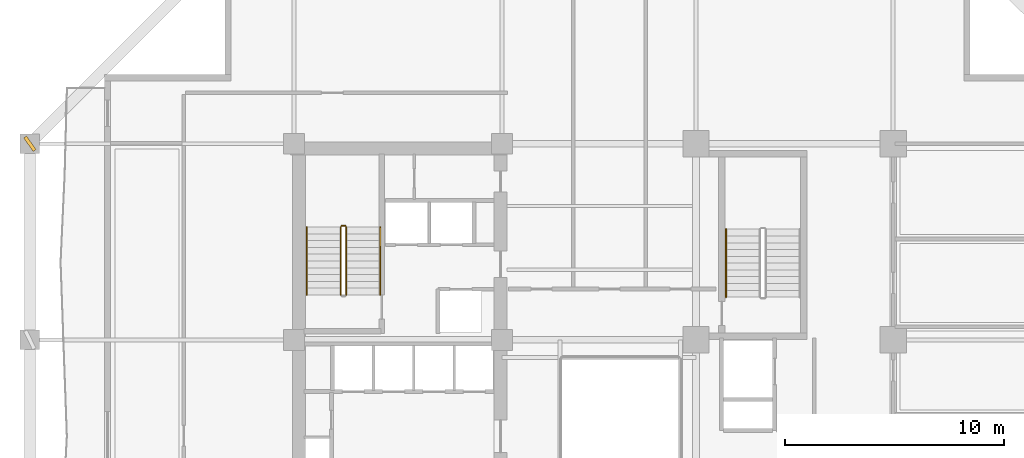
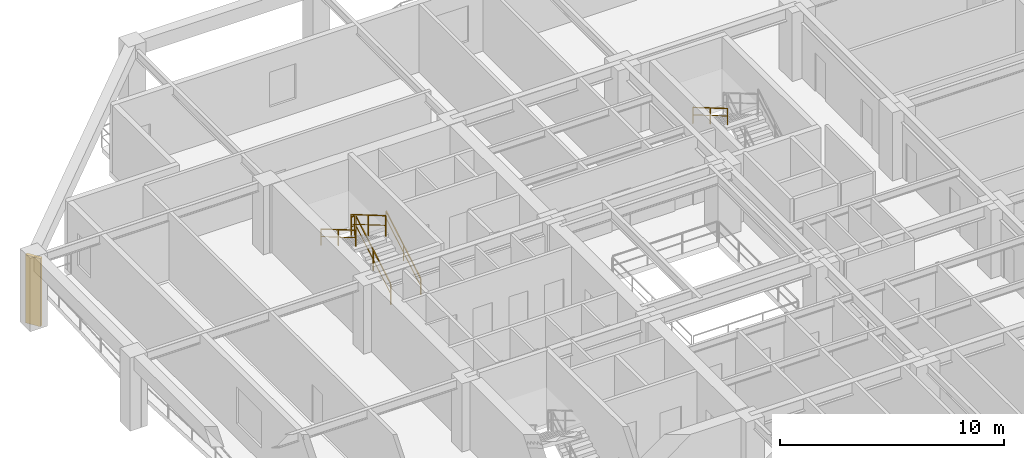
# One storey, part 11 of 13: 6 railings, 1 shading device.
"""IFC4 building model written with IfcOpenShell, lengths in metres."""

import ifcopenshell
import ifcopenshell.guid

model = None  # the IFC model being written
_history = None  # IfcOwnerHistory: only IFC2X3 demands one
_inside = {}  # id of a spatial element -> (the spatial element, [elements in it])
_under = {}  # id of a project, library or spatial element -> (it, [spatial elements below it])
_declared = {}  # id of a project -> (the project, [libraries it declares])
_typed = {}  # id of a type object -> (the type object, [elements of that type])
_made_of = {}  # id of a material, layer set ... -> (it, [elements and type objects made of it])


def new_model(schema):
    """Start an empty IFC model of exactly this schema.

    Asked for "IFC4X3", IfcOpenShell would pick the latest addendum, in which some entities
    have other attributes; the version numbers below select the first issue.
    IFC2X3 requires an IfcOwnerHistory on every rooted entity: one is made here for all.
    """
    global model, _history
    if schema == "IFC4X3":
        model = ifcopenshell.file(schema_version=(4, 3, 0, 0))
    else:
        model = ifcopenshell.file(schema=schema)
    _inside.clear()
    _under.clear()
    _declared.clear()
    _typed.clear()
    _made_of.clear()
    _history = None
    if model.schema == "IFC2X3":
        org = make("IfcOrganization", Name="unknown")
        user = make(
            "IfcPersonAndOrganization",
            ThePerson=make("IfcPerson", FamilyName="unknown"),
            TheOrganization=org,
        )
        app = make(
            "IfcApplication",
            ApplicationDeveloper=org,
            Version="unknown",
            ApplicationFullName="unknown",
            ApplicationIdentifier="unknown",
        )
        _history = make(
            "IfcOwnerHistory",
            OwningUser=user,
            OwningApplication=app,
            ChangeAction="ADDED",
            CreationDate=0,
        )
    return model


def make(cls, **values):
    """One entity of the class cls with the attributes given. An attribute that is None is left unset."""
    return model.create_entity(
        cls, **{name: value for name, value in values.items() if value is not None}
    )


def rooted(cls, **values):
    """An entity with a GlobalId (a new one), such as an element, a storey or a relation."""
    return make(cls, GlobalId=ifcopenshell.guid.new(), OwnerHistory=_history, **values)


def si_unit(unit_type, name, prefix=None):
    """IfcSIUnit, for example si_unit("LENGTHUNIT", "METRE", prefix="MILLI")."""
    return make("IfcSIUnit", UnitType=unit_type, Prefix=prefix, Name=name)


def assignment(units):
    """IfcUnitAssignment: the units of a project."""
    return None if units is None else make("IfcUnitAssignment", Units=units)


def point(xyz):
    """IfcCartesianPoint."""
    return None if xyz is None else make("IfcCartesianPoint", Coordinates=xyz)


def direction(xyz):
    """IfcDirection."""
    return None if xyz is None else make("IfcDirection", DirectionRatios=xyz)


def frame(location, z_axis=None, x_axis=None):
    """IfcAxis2Placement3D, a coordinate frame: its origin and axes. An axis left out is left unset."""
    return make(
        "IfcAxis2Placement3D",
        Location=point(location),
        Axis=direction(z_axis),
        RefDirection=direction(x_axis),
    )


def frame_2d(location, x_axis=None):
    """IfcAxis2Placement2D, a coordinate frame in the plane: its origin and x axis."""
    return make(
        "IfcAxis2Placement2D", Location=point(location), RefDirection=direction(x_axis)
    )


def origin():
    """The frame at (0, 0, 0) with its axes left unset."""
    return frame((0.0, 0.0, 0.0))


def origin_2d():
    """The frame at (0, 0) in the plane with its x axis left unset."""
    return frame_2d((0.0, 0.0))


def place(relative_to, where):
    """IfcLocalPlacement: puts the frame where relative to a parent placement (None: the world)."""
    return make(
        "IfcLocalPlacement", PlacementRelTo=relative_to, RelativePlacement=where
    )


def context(
    kind, dimensions, precision=None, world=None, true_north=None, identifier=None
):
    """IfcGeometricRepresentationContext, for example the 3D "Model" context."""
    return make(
        "IfcGeometricRepresentationContext",
        ContextIdentifier=identifier,
        ContextType=kind,
        CoordinateSpaceDimension=dimensions,
        Precision=precision,
        WorldCoordinateSystem=world,
        TrueNorth=true_north,
    )


def subcontext(parent, identifier, kind, view, scale=None):
    """IfcGeometricRepresentationSubContext, for example "Body" below "Model"."""
    return make(
        "IfcGeometricRepresentationSubContext",
        ContextIdentifier=identifier,
        ContextType=kind,
        ParentContext=parent,
        TargetScale=scale,
        TargetView=view,
    )


def project(units=None, contexts=None):
    """IfcProject with its units and contexts."""
    return rooted(
        "IfcProject",
        Name="project",
        RepresentationContexts=contexts,
        UnitsInContext=assignment(units),
    )


def spatial(cls, under=None, at=None, **own):
    """A site, building, storey or space (cls), placed at a placement, below another one or the project."""
    s = rooted(cls, ObjectPlacement=at, **own)
    if under is not None:
        _under.setdefault(under.id(), (under, []))[1].append(s)
    return s


def profile(cls, at=None, kind="AREA", **sizes):
    """A parametric profile (cls). Its sizes go by their IFC names, for example OverallWidth=200.0."""
    return make(cls, ProfileType=kind, Position=at, **sizes)


def rectangle(**sizes):
    """IfcRectangleProfileDef."""
    return profile("IfcRectangleProfileDef", **sizes)


def extrude(swept, where, along, depth):
    """IfcExtrudedAreaSolid: the profile swept, set in the frame where, extruded along a direction by depth."""
    return make(
        "IfcExtrudedAreaSolid",
        SweptArea=swept,
        Position=where,
        ExtrudedDirection=direction(along),
        Depth=depth,
    )


def shape(context_of_items, identifier, shape_type, items):
    """IfcShapeRepresentation: the items that make up one representation, for example the "Body"."""
    return make(
        "IfcShapeRepresentation",
        ContextOfItems=context_of_items,
        RepresentationIdentifier=identifier,
        RepresentationType=shape_type,
        Items=items,
    )


def material(Name=None, Category=None):
    """IfcMaterial."""
    return make("IfcMaterial", Name=Name, Category=Category)


def made_of(thing, what):
    """Note that an element or type object is made of a material, layer set ...; save() writes the relation."""
    if what is not None:
        _made_of.setdefault(what.id(), (what, []))[1].append(thing)
    return thing


def type_object(cls, material=None, **own):
    """A type object (cls), such as IfcWallType, which elements share."""
    return made_of(rooted(cls, **own), material)


def element(
    cls,
    number,
    at=None,
    inside=None,
    cuts=None,
    type_object=None,
    material=None,
    context=None,
    identifier="Body",
    shape_type=None,
    held_by="IfcProductDefinitionShape",
    body=None,
    shapes=None,
    **own,
):
    """One element of the class cls, such as IfcWall. Its Tag is "e" and its number.

    at: its placement. inside: the storey or other place that contains it. cuts: it is an
    opening in that element (IfcRelVoidsElement). A single representation is given by context,
    identifier, shape_type and body (its items); several are given by shapes. held_by: the class
    of the entity that holds the representations. save() writes the other relations.
    """
    e = rooted(cls, Tag="e%d" % number, ObjectPlacement=at, **own)
    if body is not None:
        shapes = [shape(context, identifier, shape_type, body)]
    if shapes is not None:
        e.Representation = make(held_by, Representations=shapes)
    if inside is not None:
        _inside.setdefault(inside.id(), (inside, []))[1].append(e)
    if cuts is not None:
        rooted(
            "IfcRelVoidsElement", RelatingBuildingElement=cuts, RelatedOpeningElement=e
        )
    if type_object is not None:
        _typed.setdefault(type_object.id(), (type_object, []))[1].append(e)
    return made_of(e, material)


def aggregate(whole, parts):
    """IfcRelAggregates: a whole, such as a stair, and the parts it consists of."""
    return rooted("IfcRelAggregates", RelatingObject=whole, RelatedObjects=parts)


def save(model, path):
    """Write the relations noted so far, then the file.

    IfcRelAggregates (storeys below a building ...), IfcRelContainedInSpatialStructure (elements
    in a storey), IfcRelDefinesByType, IfcRelAssociatesMaterial and IfcRelDeclares: one each for
    every whole, place, type object, material and project.
    """
    for whole, parts in _under.values():
        aggregate(whole, parts)
    for where, things in _inside.values():
        rooted(
            "IfcRelContainedInSpatialStructure",
            RelatedElements=things,
            RelatingStructure=where,
        )
    for kind, things in _typed.values():
        rooted("IfcRelDefinesByType", RelatedObjects=things, RelatingType=kind)
    for what, things in _made_of.values():
        rooted("IfcRelAssociatesMaterial", RelatedObjects=things, RelatingMaterial=what)
    for by, libraries in _declared.values():
        rooted("IfcRelDeclares", RelatingContext=by, RelatedDefinitions=libraries)
    model.write(path)


model = new_model("IFC4")

# Units and contexts
model_context = context("Model", 3, precision=1e-05, world=origin(), true_north=direction((0.0, 1.0)))
body_context = subcontext(model_context, "Body", "Model", "MODEL_VIEW")
ifc_project = project(units=[si_unit("LENGTHUNIT", "METRE"), si_unit("AREAUNIT", "SQUARE_METRE"), si_unit("VOLUMEUNIT", "CUBIC_METRE"), si_unit("PLANEANGLEUNIT", "RADIAN"), si_unit("MASSUNIT", "GRAM", prefix="KILO")], contexts=[model_context])

# Site, building, storey
site_placement = place(None, origin())
site = spatial("IfcSite", under=ifc_project, at=site_placement, CompositionType="ELEMENT")
building_placement = place(site_placement, origin())
building = spatial("IfcBuilding", under=site, at=building_placement, Name="Kundavana Baori Tower", CompositionType="ELEMENT")
storey_placement = place(building_placement, frame((0.0, 0.0, 62.0)))
storey = spatial("IfcBuildingStorey", under=building, at=storey_placement, Name="L14", CompositionType="ELEMENT", Elevation=62.0)

# Railings
ifc_material_1 = material(Name="Architectural Patinated Bronze Metalwork")
railing_type_1 = type_object("IfcRailingType", Name="RL-GRD-1150", PredefinedType="GUARDRAIL", material=ifc_material_1)
railing_1_placement = place(storey_placement, frame((17.840087890625, 35.050048828125, 0.181884765625)))
element("IfcRailing", 1, at=railing_1_placement, inside=storey, type_object=railing_type_1, Name="L14 ST2 stair guard 1", PredefinedType="GUARDRAIL", context=body_context, shape_type="SweptSolid", body=[
    extrude(rectangle(XDim=0.048095703125, YDim=0.048095703125, at=origin_2d()), frame((0.0, 0.0, 1.1259765625), z_axis=(0.0, 0.86258143422, 0.50591824373), x_axis=(-1.0, 0.0, 0.0)), (0.0, 0.0, 1.0), 3.59375),
    extrude(rectangle(XDim=0.03125, YDim=0.03125, at=origin_2d()), frame((0.0, 0.0, 0.597900390625), z_axis=(0.0, 0.86258143422, 0.50591824373), x_axis=(-1.0, 0.0, 0.0)), (0.0, 0.0, 1.0), 3.59375),
    extrude(rectangle(XDim=0.0419921875, YDim=0.0419921875, at=origin_2d()), origin(), (0.0, 0.0, 1.0), 1.101806640625),
    extrude(rectangle(XDim=0.0419921875, YDim=0.0419921875, at=origin_2d()), frame((0.0, 1.5498046875, 0.9091796875)), (0.0, 0.0, 1.0), 1.101806640625),
    extrude(rectangle(XDim=0.0419921875, YDim=0.0419921875, at=origin_2d()), frame((0.0, 3.099853515625, 1.818115234375)), (0.0, 0.0, 1.0), 1.101806640625),
])
railing_2_placement = place(storey_placement, frame((17.7900390625, 38.199951171875, 2.0)))
element("IfcRailing", 2, at=railing_2_placement, inside=storey, type_object=railing_type_1, Name="L14 ST2 stair guard 2", PredefinedType="GUARDRAIL", context=body_context, shape_type="SweptSolid", body=[
    extrude(rectangle(XDim=0.048095703125, YDim=0.048095703125, at=origin_2d()), frame((0.0, 0.0, 1.1259765625), z_axis=(-1.0, 0.0, 0.0), x_axis=(0.0, -1.0, 0.0)), (0.0, 0.0, 1.0), 0.16015625),
    extrude(rectangle(XDim=0.03125, YDim=0.03125, at=origin_2d()), frame((0.0, 0.0, 0.597900390625), z_axis=(-1.0, 0.0, 0.0), x_axis=(0.0, -1.0, 0.0)), (0.0, 0.0, 1.0), 0.16015625),
    extrude(rectangle(XDim=0.0419921875, YDim=0.0419921875, at=origin_2d()), origin(), (0.0, 0.0, 1.0), 1.101806640625),
    extrude(rectangle(XDim=0.0419921875, YDim=0.0419921875, at=origin_2d()), frame((-0.16015625, 0.0, 0.0)), (0.0, 0.0, 1.0), 1.101806640625),
])
railing_3_placement = place(storey_placement, frame((17.580078125, 38.14990234375, 2.181884765625)))
element("IfcRailing", 3, at=railing_3_placement, inside=storey, type_object=railing_type_1, Name="L14 ST2 stair guard 3", PredefinedType="GUARDRAIL", context=body_context, shape_type="SweptSolid", body=[
    extrude(rectangle(XDim=0.048095703125, YDim=0.048095703125, at=origin_2d()), frame((0.0, 0.0, 1.1259765625), z_axis=(0.0, -0.86258143422, 0.50591824373), x_axis=(1.0, 0.0, 0.0)), (0.0, 0.0, 1.0), 3.59375),
    extrude(rectangle(XDim=0.03125, YDim=0.03125, at=origin_2d()), frame((0.0, 0.0, 0.597900390625), z_axis=(0.0, -0.86258143422, 0.50591824373), x_axis=(1.0, 0.0, 0.0)), (0.0, 0.0, 1.0), 3.59375),
    extrude(rectangle(XDim=0.0419921875, YDim=0.0419921875, at=origin_2d()), origin(), (0.0, 0.0, 1.0), 1.101806640625),
    extrude(rectangle(XDim=0.0419921875, YDim=0.0419921875, at=origin_2d()), frame((0.0, -1.5498046875, 0.9091796875)), (0.0, 0.0, 1.0), 1.101806640625),
    extrude(rectangle(XDim=0.0419921875, YDim=0.0419921875, at=origin_2d()), frame((0.0, -3.099853515625, 1.818115234375)), (0.0, 0.0, 1.0), 1.101806640625),
])
ifc_material_2 = material(Name="Architectural Patinated Bronze Metalwork")
railing_type_2 = type_object("IfcRailingType", Name="RL-HND-920", PredefinedType="HANDRAIL", material=ifc_material_2)
railing_4_placement = place(storey_placement, frame((19.389892578125, 35.050048828125, 0.181884765625)))
element("IfcRailing", 4, at=railing_4_placement, inside=storey, type_object=railing_type_2, Name="L14 ST2 stair handrail 1", PredefinedType="HANDRAIL", context=body_context, shape_type="SweptSolid", body=[
    extrude(rectangle(XDim=0.048095703125, YDim=0.048095703125, at=origin_2d()), frame((0.0, 0.0, 0.8759765625), z_axis=(0.0, 0.86258143422, 0.50591824373), x_axis=(-1.0, 0.0, 0.0)), (0.0, 0.0, 1.0), 3.59375),
    extrude(rectangle(XDim=0.03125, YDim=0.03125, at=origin_2d()), frame((0.0, 0.0, 0.468017578125), z_axis=(0.0, 0.86258143422, 0.50591824373), x_axis=(-1.0, 0.0, 0.0)), (0.0, 0.0, 1.0), 3.59375),
    extrude(rectangle(XDim=0.0419921875, YDim=0.0419921875, at=origin_2d()), origin(), (0.0, 0.0, 1.0), 0.851806640625),
    extrude(rectangle(XDim=0.0419921875, YDim=0.0419921875, at=origin_2d()), frame((0.0, 1.5498046875, 0.9091796875)), (0.0, 0.0, 1.0), 0.851806640625),
    extrude(rectangle(XDim=0.0419921875, YDim=0.0419921875, at=origin_2d()), frame((0.0, 3.099853515625, 1.818115234375)), (0.0, 0.0, 1.0), 0.851806640625),
])
railing_5_placement = place(storey_placement, frame((16.030029296875, 38.14990234375, 2.181884765625)))
element("IfcRailing", 5, at=railing_5_placement, inside=storey, type_object=railing_type_2, Name="L14 ST2 stair handrail 2", PredefinedType="HANDRAIL", context=body_context, shape_type="SweptSolid", body=[
    extrude(rectangle(XDim=0.048095703125, YDim=0.048095703125, at=origin_2d()), frame((0.0, 0.0, 0.8759765625), z_axis=(0.0, -0.86258143422, 0.50591824373), x_axis=(1.0, 0.0, 0.0)), (0.0, 0.0, 1.0), 3.59375),
    extrude(rectangle(XDim=0.03125, YDim=0.03125, at=origin_2d()), frame((0.0, 0.0, 0.468017578125), z_axis=(0.0, -0.86258143422, 0.50591824373), x_axis=(1.0, 0.0, 0.0)), (0.0, 0.0, 1.0), 3.59375),
    extrude(rectangle(XDim=0.0419921875, YDim=0.0419921875, at=origin_2d()), origin(), (0.0, 0.0, 1.0), 0.851806640625),
    extrude(rectangle(XDim=0.0419921875, YDim=0.0419921875, at=origin_2d()), frame((0.0, -1.5498046875, 0.9091796875)), (0.0, 0.0, 1.0), 0.851806640625),
    extrude(rectangle(XDim=0.0419921875, YDim=0.0419921875, at=origin_2d()), frame((0.0, -3.099853515625, 1.818115234375)), (0.0, 0.0, 1.0), 0.851806640625),
])
railing_6_placement = place(storey_placement, frame((35.169921875, 38.050048828125, 2.181884765625)))
element("IfcRailing", 6, at=railing_6_placement, inside=storey, type_object=railing_type_2, Name="L14 ST3 stair handrail 2", PredefinedType="HANDRAIL", context=body_context, shape_type="SweptSolid", body=[
    extrude(rectangle(XDim=0.048095703125, YDim=0.048095703125, at=origin_2d()), frame((0.0, 0.0, 0.8759765625), z_axis=(0.0, -0.862598821094, 0.505888598258), x_axis=(1.0, 0.0, 0.0)), (0.0, 0.0, 1.0), 3.593994140625),
    extrude(rectangle(XDim=0.03125, YDim=0.03125, at=origin_2d()), frame((0.0, 0.0, 0.468017578125), z_axis=(0.0, -0.862598821094, 0.505888598258), x_axis=(1.0, 0.0, 0.0)), (0.0, 0.0, 1.0), 3.593994140625),
    extrude(rectangle(XDim=0.0419921875, YDim=0.0419921875, at=origin_2d()), origin(), (0.0, 0.0, 1.0), 0.851806640625),
    extrude(rectangle(XDim=0.0419921875, YDim=0.0419921875, at=origin_2d()), frame((0.0, -1.550048828125, 0.9091796875)), (0.0, 0.0, 1.0), 0.851806640625),
    extrude(rectangle(XDim=0.0419921875, YDim=0.0419921875, at=origin_2d()), frame((0.0, -3.10009765625, 1.818115234375)), (0.0, 0.0, 1.0), 0.851806640625),
])

# Shading device
ifc_material_3 = material(Name="Red-Buff Dholpur Sandstone Cladding on Concrete C40/50", Category="masonry")
shading_device_type = type_object("IfcShadingDeviceType", Name="SHD-FIN-750", PredefinedType="JALOUSIE", material=ifc_material_3)
shading_device_placement = place(storey_placement, frame((3.39990234375, 41.949951171875, 0.0), z_axis=(0.0, 0.0, 1.0), x_axis=(0.816440043737, 0.577430216549, 0.0)))
element("IfcShadingDevice", 7, at=shading_device_placement, inside=storey, type_object=shading_device_type, Name="L14 Sweeping Dholpur Sandstone Facade Fin 8", PredefinedType="JALOUSIE", context=body_context, shape_type="SweptSolid", body=[
    extrude(rectangle(XDim=0.159912109375, YDim=0.75, at=origin_2d()), origin(), (0.0, 0.0, 1.0), 3.719970703125),
])

save(model, "model.ifc")
